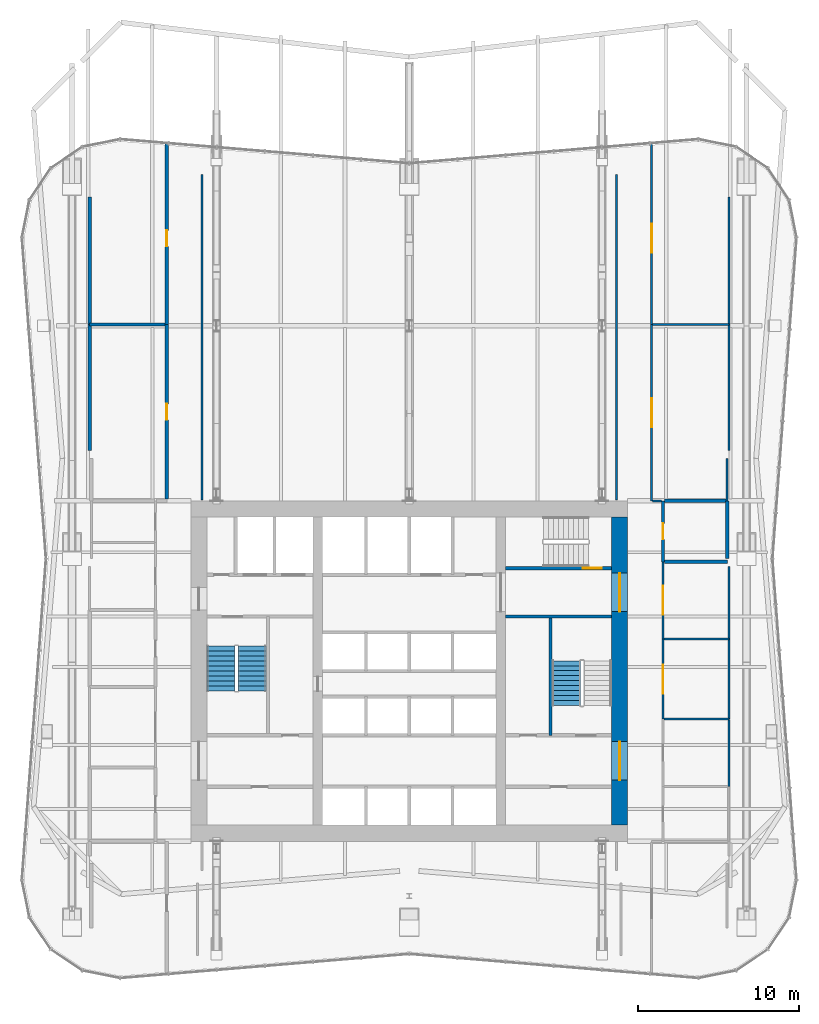
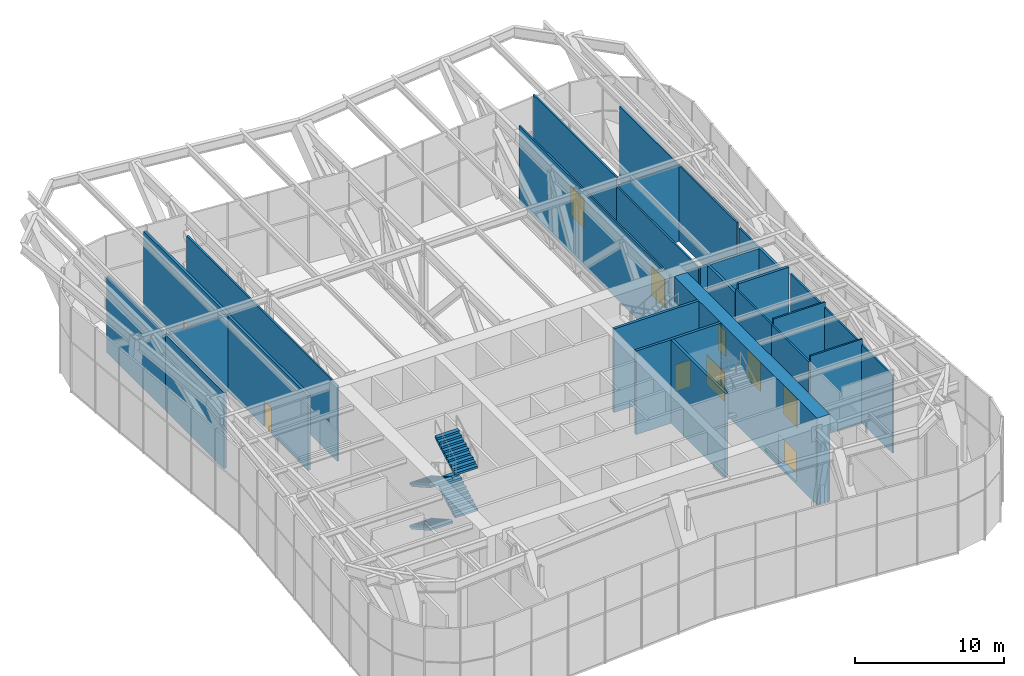
# One storey, part 12 of 16: 29 walls, 10 doors, 5 stair flights, 10 openings, 2 elements without a shape of their own.
"""IFC4 building model written with IfcOpenShell, lengths in metres."""

from ifc_helpers import new_model, si_unit, direction, frame, frame_2d, origin, place, context, subcontext, project, spatial, polyline, rectangle, outline, extrude, material, layer, layer_set, type_object, element, fill, aggregate, save


model = new_model("IFC4")

# Units and contexts
model_context = context("Model", 3, precision=1e-05, world=origin(), true_north=direction((0.0, 1.0)))
body_context = subcontext(model_context, "Body", "Model", "MODEL_VIEW")
ifc_project = project(units=[si_unit("LENGTHUNIT", "METRE"), si_unit("AREAUNIT", "SQUARE_METRE"), si_unit("VOLUMEUNIT", "CUBIC_METRE"), si_unit("PLANEANGLEUNIT", "RADIAN"), si_unit("MASSUNIT", "GRAM", prefix="KILO")], contexts=[model_context])

# Site, building, storey
site_placement = place(None, origin())
site = spatial("IfcSite", under=ifc_project, at=site_placement, CompositionType="ELEMENT")
building_placement = place(site_placement, origin())
building = spatial("IfcBuilding", under=site, at=building_placement, Name="Verdant Reach Tower", CompositionType="ELEMENT")
storey_placement = place(building_placement, frame((0.0, 0.0, 170.0)))
storey = spatial("IfcBuildingStorey", under=building, at=storey_placement, Name="L39 Plant", CompositionType="ELEMENT", Elevation=170.0)

# Wall
ifc_material_1 = material(Name="Concrete C40/50", Category="concrete")
ifc_layer_1 = layer(ifc_material_1, 0.199951171875)
ifc_layer_set_1 = layer_set([ifc_layer_1], Name="CO-WALL-STAIR")
wall_type_1 = type_object("IfcWallType", Name="CO-WALL-STAIR", PredefinedType="PARTITIONING", material=ifc_layer_set_1)
wall_1_placement = place(storey_placement, frame((6.0, 31.39990234375, 0.0), z_axis=(0.0, 0.0, 1.0), x_axis=(1.0, 0.0, 0.0)))
element("IfcWall", 1, at=wall_1_placement, inside=storey, type_object=wall_type_1, Name="Stair enclosure wall, L39 Plant", PredefinedType="PARTITIONING", context=body_context, shape_type="SweptSolid", body=[
    extrude(rectangle(XDim=6.60009765625, YDim=0.199951171875, at=frame_2d((3.300048828125, 0.0))), origin(), (0.0, 0.0, 1.0), 6.8701171875),
])

# Wall, opening, door
wall_2_placement = place(storey_placement, frame((6.0, 34.39990234375, 0.0), z_axis=(0.0, 0.0, 1.0), x_axis=(1.0, 0.0, 0.0)))
wall_2 = element("IfcWall", 2, at=wall_2_placement, inside=storey, type_object=wall_type_1, Name="Stair enclosure wall, L39 Plant", PredefinedType="PARTITIONING", context=body_context, shape_type="SweptSolid", body=[
    extrude(rectangle(XDim=6.60009765625, YDim=0.199951171875, at=frame_2d((3.300048828125, 0.0))), origin(), (0.0, 0.0, 1.0), 6.8701171875),
])
opening_1_placement = place(wall_2_placement, frame((4.800048828125, 0.0, 0.0)))
opening_1 = element("IfcOpeningElement", 3, at=opening_1_placement, cuts=wall_2, Name="Opening SD", PredefinedType="OPENING", context=body_context, shape_type="SweptSolid", body=[
    extrude(rectangle(XDim=1.199951171875, YDim=2.199951171875, at=frame_2d((0.60009765625, 1.10009765625))), frame((0.0, 0.10986328125, 0.0), z_axis=(0.0, -1.0, 0.0), x_axis=(1.0, 0.0, 0.0)), (0.0, 0.0, 1.0), 0.219970703125),
])
ifc_material_2 = material(Name="Steel", Category="steel")
door_type_1 = type_object("IfcDoorType", Name="CO-DOOR-STAIR", OperationType="NOTDEFINED", PredefinedType="DOOR", material=ifc_material_2)
door_1_placement = place(opening_1_placement, origin())
door_1 = element("IfcDoor", 4, at=door_1_placement, inside=storey, type_object=door_type_1, Name="Stair door, L39 Plant", OperationType="SINGLE_SWING_RIGHT", OverallHeight=2.199951171875, OverallWidth=1.199951171875, PredefinedType="DOOR", context=body_context, shape_type="SweptSolid", body=[
    extrude(rectangle(XDim=1.199951171875, YDim=2.199951171875, at=frame_2d((0.60009765625, 1.10009765625))), frame((0.0, 0.02490234375, 0.0), z_axis=(0.0, -1.0, 0.0), x_axis=(1.0, 0.0, 0.0)), (0.0, 0.0, 1.0), 0.050048828125),
])
fill(opening_1, door_1)

# Wall
wall_3_placement = place(storey_placement, frame((8.800048828125, 24.0, 0.0), z_axis=(0.0, 0.0, 1.0), x_axis=(0.0, 1.0, 0.0)))
element("IfcWall", 5, at=wall_3_placement, inside=storey, type_object=wall_type_1, Name="Stair enclosure wall, L39 Plant", PredefinedType="PARTITIONING", context=body_context, shape_type="SweptSolid", body=[
    extrude(rectangle(XDim=7.39990234375, YDim=0.199951171875, at=frame_2d((3.699951171875, 0.0))), origin(), (0.0, 0.0, 1.0), 6.8701171875),
])

# Wall, openings, doors
ifc_material_3 = material(Name="Concrete C70/85", Category="concrete")
ifc_layer_2 = layer(ifc_material_3, 1.0)
ifc_layer_set_2 = layer_set([ifc_layer_2], Name="ST-CORE-WALL-1000")
wall_type_2 = type_object("IfcWallType", Name="ST-CORE-WALL-1000", PredefinedType="SHEAR", material=ifc_layer_set_2)
wall_4_placement = place(storey_placement, frame((13.10009765625, 18.39990234375, -0.25), z_axis=(0.0, 0.0, 1.0), x_axis=(0.0, 1.0, 0.0)))
wall_4 = element("IfcWall", 6, at=wall_4_placement, inside=storey, type_object=wall_type_2, Name="Core wall E, L39 Plant", PredefinedType="SHEAR", context=body_context, shape_type="SweptSolid", body=[
    extrude(rectangle(XDim=19.2001953125, YDim=1.0, at=frame_2d((9.60009765625, 0.0))), origin(), (0.0, 0.0, 1.0), 7.1201171875),
])
opening_2_placement = place(wall_4_placement, frame((2.800048828125, 0.0, 0.25)))
opening_2 = element("IfcOpeningElement", 7, at=opening_2_placement, cuts=wall_4, Name="Opening LB", PredefinedType="OPENING", context=body_context, shape_type="SweptSolid", body=[
    extrude(rectangle(XDim=2.39990234375, YDim=2.39990234375, at=frame_2d((1.199951171875, 1.199951171875))), frame((0.0, 0.510009765625, 0.0), z_axis=(0.0, -1.0, 0.0), x_axis=(1.0, 0.0, 0.0)), (0.0, 0.0, 1.0), 1.02001953125),
])
opening_3_placement = place(wall_4_placement, frame((13.300048828125, 0.0, 0.25)))
opening_3 = element("IfcOpeningElement", 8, at=opening_3_placement, cuts=wall_4, Name="Opening LB", PredefinedType="OPENING", context=body_context, shape_type="SweptSolid", body=[
    extrude(rectangle(XDim=2.39990234375, YDim=2.39990234375, at=frame_2d((1.199951171875, 1.199951171875))), frame((0.0, 0.510009765625, 0.0), z_axis=(0.0, -1.0, 0.0), x_axis=(1.0, 0.0, 0.0)), (0.0, 0.0, 1.0), 1.02001953125),
])
ifc_material_4 = material(Name="Glass and steel", Category="steel")
door_type_2 = type_object("IfcDoorType", Name="CO-DOOR-LOBBY", OperationType="DOUBLE_DOOR_SINGLE_SWING", PredefinedType="DOOR", material=ifc_material_4)
door_2_placement = place(opening_2_placement, origin())
door_2 = element("IfcDoor", 9, at=door_2_placement, inside=storey, type_object=door_type_2, Name="Core entrance door, L39 Plant", OperationType="DOUBLE_DOOR_SINGLE_SWING", OverallHeight=2.39990234375, OverallWidth=2.39990234375, PredefinedType="DOOR", context=body_context, shape_type="SweptSolid", body=[
    extrude(rectangle(XDim=2.39990234375, YDim=2.39990234375, at=frame_2d((1.199951171875, 1.199951171875))), frame((0.0, 0.02490234375, 0.0), z_axis=(0.0, -1.0, 0.0), x_axis=(1.0, 0.0, 0.0)), (0.0, 0.0, 1.0), 0.050048828125),
])
fill(opening_2, door_2)
door_3_placement = place(opening_3_placement, origin())
door_3 = element("IfcDoor", 10, at=door_3_placement, inside=storey, type_object=door_type_2, Name="Core entrance door, L39 Plant", OperationType="DOUBLE_DOOR_SINGLE_SWING", OverallHeight=2.39990234375, OverallWidth=2.39990234375, PredefinedType="DOOR", context=body_context, shape_type="SweptSolid", body=[
    extrude(rectangle(XDim=2.39990234375, YDim=2.39990234375, at=frame_2d((1.199951171875, 1.199951171875))), frame((0.0, 0.02490234375, 0.0), z_axis=(0.0, -1.0, 0.0), x_axis=(1.0, 0.0, 0.0)), (0.0, 0.0, 1.0), 0.050048828125),
])
fill(opening_3, door_3)

# Wall, opening, door
ifc_material_5 = material(Name="Gypsum board on steel studs, fire rated", Category="steel")
ifc_layer_3 = layer(ifc_material_5, 0.125)
ifc_layer_set_3 = layer_set([ifc_layer_3], Name="SV-W2 Plant wall 125 EI 60")
wall_type_3 = type_object("IfcWallType", Name="SV-W2 Plant wall 125 EI 60", PredefinedType="PARTITIONING", material=ifc_layer_set_3)
wall_5_placement = place(storey_placement, frame((15.800048828125, 25.0, 0.0), z_axis=(0.0, 0.0, 1.0), x_axis=(0.0, 1.0, 0.0)))
wall_5 = element("IfcWall", 11, at=wall_5_placement, inside=storey, type_object=wall_type_3, Name="Partition L39.03", PredefinedType="PARTITIONING", context=body_context, shape_type="SweptSolid", body=[
    extrude(rectangle(XDim=5.0, YDim=0.125, at=frame_2d((2.5, 0.0))), origin(), (0.0, 0.0, 1.0), 6.43994140625),
])
opening_4_placement = place(wall_5_placement, frame((1.60009765625, 0.0, 0.0)))
opening_4 = element("IfcOpeningElement", 12, at=opening_4_placement, cuts=wall_5, Name="Opening SD3", PredefinedType="OPENING", context=body_context, shape_type="SweptSolid", body=[
    extrude(rectangle(XDim=1.800048828125, YDim=2.39990234375, at=frame_2d((0.89990234375, 1.199951171875))), frame((0.0, 0.072509765625, 0.0), z_axis=(0.0, -1.0, 0.0), x_axis=(1.0, 0.0, 0.0)), (0.0, 0.0, 1.0), 0.14501953125),
])
ifc_material_6 = material(Name="Steel door leaves, fire rated", Category="steel")
door_type_3 = type_object("IfcDoorType", Name="SV-D3 Equipment door 1800x2400 FD60", OperationType="DOUBLE_DOOR_SINGLE_SWING", PredefinedType="DOOR", material=ifc_material_6)
door_4_placement = place(opening_4_placement, origin())
door_4 = element("IfcDoor", 13, at=door_4_placement, inside=storey, type_object=door_type_3, Name="Door L39-003", OperationType="DOUBLE_DOOR_SINGLE_SWING", OverallHeight=2.39990234375, OverallWidth=1.800048828125, PredefinedType="DOOR", context=body_context, shape_type="SweptSolid", body=[
    extrude(rectangle(XDim=1.800048828125, YDim=2.39990234375, at=frame_2d((0.89990234375, 1.199951171875))), frame((0.0, 0.02490234375, 0.0), z_axis=(0.0, -1.0, 0.0), x_axis=(1.0, 0.0, 0.0)), (0.0, 0.0, 1.0), 0.050048828125),
])
fill(opening_4, door_4)

wall_6_placement = place(storey_placement, frame((15.800048828125, 30.0, 0.0), z_axis=(0.0, 0.0, 1.0), x_axis=(0.0, 1.0, 0.0)))
wall_6 = element("IfcWall", 14, at=wall_6_placement, inside=storey, type_object=wall_type_3, Name="Partition L39.04", PredefinedType="PARTITIONING", context=body_context, shape_type="SweptSolid", body=[
    extrude(rectangle(XDim=4.800048828125, YDim=0.125, at=frame_2d((2.39990234375, 0.0))), origin(), (0.0, 0.0, 1.0), 6.43994140625),
])
opening_5_placement = place(wall_6_placement, frame((1.5, 0.0, 0.0)))
opening_5 = element("IfcOpeningElement", 15, at=opening_5_placement, cuts=wall_6, Name="Opening SD3", PredefinedType="OPENING", context=body_context, shape_type="SweptSolid", body=[
    extrude(rectangle(XDim=1.800048828125, YDim=2.39990234375, at=frame_2d((0.89990234375, 1.199951171875))), frame((0.0, 0.072509765625, 0.0), z_axis=(0.0, -1.0, 0.0), x_axis=(1.0, 0.0, 0.0)), (0.0, 0.0, 1.0), 0.14501953125),
])
door_5_placement = place(opening_5_placement, origin())
door_5 = element("IfcDoor", 16, at=door_5_placement, inside=storey, type_object=door_type_3, Name="Door L39-004", OperationType="DOUBLE_DOOR_SINGLE_SWING", OverallHeight=2.39990234375, OverallWidth=1.800048828125, PredefinedType="DOOR", context=body_context, shape_type="SweptSolid", body=[
    extrude(rectangle(XDim=1.800048828125, YDim=2.39990234375, at=frame_2d((0.89990234375, 1.199951171875))), frame((0.0, 0.02490234375, 0.0), z_axis=(0.0, -1.0, 0.0), x_axis=(1.0, 0.0, 0.0)), (0.0, 0.0, 1.0), 0.050048828125),
])
fill(opening_5, door_5)

wall_7_placement = place(storey_placement, frame((15.10009765625, 38.60009765625, 0.0), z_axis=(0.0, 0.0, 1.0), x_axis=(0.0, 1.0, 0.0)))
wall_7 = element("IfcWall", 17, at=wall_7_placement, inside=storey, type_object=wall_type_3, Name="Partition L39.08", PredefinedType="PARTITIONING", context=body_context, shape_type="SweptSolid", body=[
    extrude(rectangle(XDim=10.972900390625, YDim=0.125, at=frame_2d((5.486328125, 0.0))), origin(), (0.0, 0.0, 1.0), 6.139892578125),
])
opening_6_placement = place(wall_7_placement, frame((4.58642578125, 0.0, 0.0)))
opening_6 = element("IfcOpeningElement", 18, at=opening_6_placement, cuts=wall_7, Name="Opening SD3", PredefinedType="OPENING", context=body_context, shape_type="SweptSolid", body=[
    extrude(rectangle(XDim=1.800048828125, YDim=2.39990234375, at=frame_2d((0.89990234375, 1.199951171875))), frame((0.0, 0.072509765625, 0.0), z_axis=(0.0, -1.0, 0.0), x_axis=(1.0, 0.0, 0.0)), (0.0, 0.0, 1.0), 0.14501953125),
])
door_6_placement = place(opening_6_placement, origin())
door_6 = element("IfcDoor", 19, at=door_6_placement, inside=storey, type_object=door_type_3, Name="Door L39-007", OperationType="DOUBLE_DOOR_SINGLE_SWING", OverallHeight=2.39990234375, OverallWidth=1.800048828125, PredefinedType="DOOR", context=body_context, shape_type="SweptSolid", body=[
    extrude(rectangle(XDim=1.800048828125, YDim=2.39990234375, at=frame_2d((0.89990234375, 1.199951171875))), frame((0.0, 0.02490234375, 0.0), z_axis=(0.0, -1.0, 0.0), x_axis=(1.0, 0.0, 0.0)), (0.0, 0.0, 1.0), 0.050048828125),
])
fill(opening_6, door_6)

# Wall
wall_8_placement = place(storey_placement, frame((15.16259765625, 38.60009765625, 0.0), z_axis=(0.0, 0.0, 1.0), x_axis=(1.0, 0.0, 0.0)))
element("IfcWall", 20, at=wall_8_placement, inside=storey, type_object=wall_type_3, Name="Partition L39.09", PredefinedType="PARTITIONING", context=body_context, shape_type="SweptSolid", body=[
    extrude(rectangle(XDim=0.537353515625, YDim=0.125, at=frame_2d((0.2685546875, 0.0))), origin(), (0.0, 0.0, 1.0), 6.139892578125),
])

# Wall, opening, door
wall_9_placement = place(storey_placement, frame((15.10009765625, 49.572998046875, 0.0), z_axis=(0.0, 0.0, 1.0), x_axis=(0.0, 1.0, 0.0)))
wall_9 = element("IfcWall", 21, at=wall_9_placement, inside=storey, type_object=wall_type_3, Name="Partition L39.10", PredefinedType="PARTITIONING", context=body_context, shape_type="SweptSolid", body=[
    extrude(rectangle(XDim=11.265380859375, YDim=0.125, at=frame_2d((5.6328125, 0.0))), origin(), (0.0, 0.0, 1.0), 6.8701171875),
])
opening_7_placement = place(wall_9_placement, frame((4.467041015625, 0.0, 0.0)))
opening_7 = element("IfcOpeningElement", 22, at=opening_7_placement, cuts=wall_9, Name="Opening SD3", PredefinedType="OPENING", context=body_context, shape_type="SweptSolid", body=[
    extrude(rectangle(XDim=1.800048828125, YDim=2.39990234375, at=frame_2d((0.89990234375, 1.199951171875))), frame((0.0, 0.072509765625, 0.0), z_axis=(0.0, -1.0, 0.0), x_axis=(1.0, 0.0, 0.0)), (0.0, 0.0, 1.0), 0.14501953125),
])
door_7_placement = place(opening_7_placement, origin())
door_7 = element("IfcDoor", 23, at=door_7_placement, inside=storey, type_object=door_type_3, Name="Door L39-008", OperationType="DOUBLE_DOOR_SINGLE_SWING", OverallHeight=2.39990234375, OverallWidth=1.800048828125, PredefinedType="DOOR", context=body_context, shape_type="SweptSolid", body=[
    extrude(rectangle(XDim=1.800048828125, YDim=2.39990234375, at=frame_2d((0.89990234375, 1.199951171875))), frame((0.0, 0.02490234375, 0.0), z_axis=(0.0, -1.0, 0.0), x_axis=(1.0, 0.0, 0.0)), (0.0, 0.0, 1.0), 0.050048828125),
])
fill(opening_7, door_7)

# Walls
for number, where, z_axis, x_axis, name in (
    (24, (15.862548828125, 25.0, 0.0), (0.0, 0.0, 1.0), (1.0, 0.0, 0.0), "Partition L39.13"),
    (25, (15.862548828125, 30.0, 0.0), (0.0, 0.0, 1.0), (1.0, 0.0, 0.0), "Partition L39.14"),
):
    element("IfcWall", number, at=place(storey_placement, frame(where, z_axis=z_axis, x_axis=x_axis)), inside=storey, type_object=wall_type_3, Name=name, PredefinedType="PARTITIONING", context=body_context, shape_type="SweptSolid", body=[
        extrude(rectangle(XDim=4.037353515625, YDim=0.125, at=frame_2d((2.0185546875, 0.0))), origin(), (0.0, 0.0, 1.0), 6.8701171875),
    ])
wall_10_placement = place(storey_placement, frame((15.16259765625, 49.572998046875, 0.0), z_axis=(0.0, 0.0, 1.0), x_axis=(1.0, 0.0, 0.0)))
element("IfcWall", 26, at=wall_10_placement, inside=storey, type_object=wall_type_3, Name="Partition L39.17", PredefinedType="PARTITIONING", context=body_context, shape_type="SweptSolid", body=[
    extrude(rectangle(XDim=4.7373046875, YDim=0.125, at=frame_2d((2.36865234375, 0.0))), origin(), (0.0, 0.0, 1.0), 6.239990234375),
])
wall_11_placement = place(storey_placement, frame((12.89990234375, 38.64990234375, 0.0), z_axis=(0.0, 0.0, 1.0), x_axis=(0.0, 1.0, 0.0)))
element("IfcWall", 27, at=wall_11_placement, inside=storey, type_object=wall_type_3, Name="Partition L39.37", PredefinedType="PARTITIONING", context=body_context, shape_type="SweptSolid", body=[
    extrude(rectangle(XDim=20.258056640625, YDim=0.125, at=frame_2d((10.12890625, 0.0))), origin(), (0.0, 0.0, 1.0), 6.239990234375),
])
wall_12_placement = place(storey_placement, frame((19.89990234375, 24.998046875, 0.0), z_axis=(0.0, 0.0, 1.0), x_axis=(0.0, -1.0, 0.0)))
element("IfcWall", 28, at=wall_12_placement, inside=storey, type_object=wall_type_3, Name="Partition L39.39", PredefinedType="PARTITIONING", context=body_context, shape_type="SweptSolid", body=[
    extrude(rectangle(XDim=4.196044921875, YDim=0.125, at=frame_2d((2.09814453125, 0.0))), origin(), (0.0, 0.0, 1.0), 6.389892578125),
])
wall_13_placement = place(storey_placement, frame((19.89990234375, 29.998046875, 0.0), z_axis=(0.0, 0.0, 1.0), x_axis=(0.0, -1.0, 0.0)))
element("IfcWall", 29, at=wall_13_placement, inside=storey, type_object=wall_type_3, Name="Partition L39.40", PredefinedType="PARTITIONING", context=body_context, shape_type="SweptSolid", body=[
    extrude(rectangle(XDim=4.99609375, YDim=0.125, at=frame_2d((2.498046875, 0.0))), origin(), (0.0, 0.0, 1.0), 6.43994140625),
])
wall_14_placement = place(storey_placement, frame((19.89990234375, 34.52197265625, 0.0), z_axis=(0.0, 0.0, 1.0), x_axis=(0.0, -1.0, 0.0)))
element("IfcWall", 30, at=wall_14_placement, inside=storey, type_object=wall_type_3, Name="Partition L39.41", PredefinedType="PARTITIONING", context=body_context, shape_type="SweptSolid", body=[
    extrude(rectangle(XDim=4.52001953125, YDim=0.125, at=frame_2d((2.260009765625, 0.0))), origin(), (0.0, 0.0, 1.0), 6.43994140625),
])
wall_15_placement = place(storey_placement, frame((19.89990234375, 49.571044921875, 0.0), z_axis=(0.0, 0.0, 1.0), x_axis=(0.0, -1.0, 0.0)))
element("IfcWall", 31, at=wall_15_placement, inside=storey, type_object=wall_type_3, Name="Partition L39.45", PredefinedType="PARTITIONING", context=body_context, shape_type="SweptSolid", body=[
    extrude(rectangle(XDim=7.843017578125, YDim=0.125, at=frame_2d((3.92138671875, 0.0))), origin(), (0.0, 0.0, 1.0), 6.239990234375),
])
wall_16_placement = place(storey_placement, frame((19.800048828125, 41.25, 0.0), z_axis=(0.0, 0.0, 1.0), x_axis=(0.0, -1.0, 0.0)))
element("IfcWall", 32, at=wall_16_placement, inside=storey, type_object=wall_type_3, Name="Partition L39.46", PredefinedType="PARTITIONING", context=body_context, shape_type="SweptSolid", body=[
    extrude(rectangle(XDim=2.64794921875, YDim=0.125, at=frame_2d((1.323974609375, 0.0))), origin(), (0.0, 0.0, 1.0), 6.139892578125),
])
wall_17_placement = place(storey_placement, frame((19.89990234375, 57.52197265625, 0.0), z_axis=(0.0, 0.0, 1.0), x_axis=(0.0, -1.0, 0.0)))
element("IfcWall", 33, at=wall_17_placement, inside=storey, type_object=wall_type_3, Name="Partition L39.47", PredefinedType="PARTITIONING", context=body_context, shape_type="SweptSolid", body=[
    extrude(rectangle(XDim=7.947021484375, YDim=0.125, at=frame_2d((3.9736328125, 0.0))), origin(), (0.0, 0.0, 1.0), 6.239990234375),
])
wall_18_placement = place(storey_placement, frame((-12.89990234375, 58.907958984375, 0.0), z_axis=(0.0, 0.0, 1.0), x_axis=(0.0, -1.0, 0.0)))
element("IfcWall", 34, at=wall_18_placement, inside=storey, type_object=wall_type_3, Name="Partition L39.48", PredefinedType="PARTITIONING", context=body_context, shape_type="SweptSolid", body=[
    extrude(rectangle(XDim=20.258056640625, YDim=0.125, at=frame_2d((10.12890625, 0.0))), origin(), (0.0, 0.0, 1.0), 6.239990234375),
])

# Wall, opening, door
ifc_material_7 = material(Name="Calcium silicate board on steel studs, fire rated", Category="steel")
ifc_layer_4 = layer(ifc_material_7, 0.199951171875)
ifc_layer_set_4 = layer_set([ifc_layer_4], Name="SV-W3 Fire wall 200 EI 120")
wall_type_4 = type_object("IfcWallType", Name="SV-W3 Fire wall 200 EI 120", PredefinedType="PARTITIONING", material=ifc_layer_set_4)
wall_19_placement = place(storey_placement, frame((15.800048828125, 34.800048828125, 0.0), z_axis=(0.0, 0.0, 1.0), x_axis=(0.0, 1.0, 0.0)))
wall_19 = element("IfcWall", 35, at=wall_19_placement, inside=storey, type_object=wall_type_4, Name="Partition L39.05", PredefinedType="PARTITIONING", context=body_context, shape_type="SweptSolid", body=[
    extrude(rectangle(XDim=3.800048828125, YDim=0.199951171875, at=frame_2d((1.89990234375, 0.0))), origin(), (0.0, 0.0, 1.0), 6.139892578125),
])
opening_8_placement = place(wall_19_placement, frame((1.39990234375, 0.0, 0.0)))
opening_8 = element("IfcOpeningElement", 36, at=opening_8_placement, cuts=wall_19, Name="Opening SD4", PredefinedType="OPENING", context=body_context, shape_type="SweptSolid", body=[
    extrude(rectangle(XDim=1.0, YDim=2.10009765625, at=frame_2d((0.5, 1.050048828125))), frame((0.0, 0.10986328125, 0.0), z_axis=(0.0, -1.0, 0.0), x_axis=(1.0, 0.0, 0.0)), (0.0, 0.0, 1.0), 0.219970703125),
])
ifc_material_8 = material(Name="Steel door leaf, fire rated", Category="steel")
door_type_4 = type_object("IfcDoorType", Name="SV-D4 Door 1000x2100 FD120", OperationType="NOTDEFINED", PredefinedType="DOOR", material=ifc_material_8)
door_8_placement = place(opening_8_placement, origin())
door_8 = element("IfcDoor", 37, at=door_8_placement, inside=storey, type_object=door_type_4, Name="Door L39-005", OperationType="SINGLE_SWING_LEFT", OverallHeight=2.10009765625, OverallWidth=1.0, PredefinedType="DOOR", context=body_context, shape_type="SweptSolid", body=[
    extrude(rectangle(XDim=1.0, YDim=2.10009765625, at=frame_2d((0.5, 1.050048828125))), frame((0.0, 0.02490234375, 0.0), z_axis=(0.0, -1.0, 0.0), x_axis=(1.0, 0.0, 0.0)), (0.0, 0.0, 1.0), 0.050048828125),
])
fill(opening_8, door_8)

# Walls
wall_20_placement = place(storey_placement, frame((15.89990234375, 34.800048828125, 0.0), z_axis=(0.0, 0.0, 1.0), x_axis=(1.0, 0.0, 0.0)))
element("IfcWall", 38, at=wall_20_placement, inside=storey, type_object=wall_type_4, Name="Partition L39.15", PredefinedType="PARTITIONING", context=body_context, shape_type="SweptSolid", body=[
    extrude(rectangle(XDim=3.918212890625, YDim=0.199951171875, at=frame_2d((1.958984375, 0.0))), origin(), (0.0, 0.0, 1.0), 6.8701171875),
])
wall_21_placement = place(storey_placement, frame((15.89990234375, 38.60009765625, 0.0), z_axis=(0.0, 0.0, 1.0), x_axis=(1.0, 0.0, 0.0)))
element("IfcWall", 39, at=wall_21_placement, inside=storey, type_object=wall_type_4, Name="Partition L39.16", PredefinedType="PARTITIONING", context=body_context, shape_type="SweptSolid", body=[
    extrude(rectangle(XDim=3.900146484375, YDim=0.199951171875, at=frame_2d((1.9501953125, 0.0))), origin(), (0.0, 0.0, 1.0), 6.139892578125),
])

# Wall, opening, door
wall_22_placement = place(storey_placement, frame((-15.10009765625, 49.572998046875, 0.0), z_axis=(0.0, 0.0, 1.0), x_axis=(0.0, -1.0, 0.0)))
wall_22 = element("IfcWall", 40, at=wall_22_placement, inside=storey, type_object=wall_type_4, Name="Partition L39.26", PredefinedType="PARTITIONING", context=body_context, shape_type="SweptSolid", body=[
    extrude(rectangle(XDim=10.873046875, YDim=0.199951171875, at=frame_2d((5.4365234375, 0.0))), origin(), (0.0, 0.0, 1.0), 6.139892578125),
])
opening_9_placement = place(wall_22_placement, frame((4.9365234375, 0.0, 0.0)))
opening_9 = element("IfcOpeningElement", 41, at=opening_9_placement, cuts=wall_22, Name="Opening SD4", PredefinedType="OPENING", context=body_context, shape_type="SweptSolid", body=[
    extrude(rectangle(XDim=1.0, YDim=2.10009765625, at=frame_2d((0.5, 1.050048828125))), frame((0.0, 0.10986328125, 0.0), z_axis=(0.0, -1.0, 0.0), x_axis=(1.0, 0.0, 0.0)), (0.0, 0.0, 1.0), 0.219970703125),
])
door_9_placement = place(opening_9_placement, origin())
door_9 = element("IfcDoor", 42, at=door_9_placement, inside=storey, type_object=door_type_4, Name="Door L39-015", OperationType="SINGLE_SWING_LEFT", OverallHeight=2.10009765625, OverallWidth=1.0, PredefinedType="DOOR", context=body_context, shape_type="SweptSolid", body=[
    extrude(rectangle(XDim=1.0, YDim=2.10009765625, at=frame_2d((0.5, 1.050048828125))), frame((0.0, 0.02490234375, 0.0), z_axis=(0.0, -1.0, 0.0), x_axis=(1.0, 0.0, 0.0)), (0.0, 0.0, 1.0), 0.050048828125),
])
fill(opening_9, door_9)

wall_23_placement = place(storey_placement, frame((-15.10009765625, 60.83837890625, 0.0), z_axis=(0.0, 0.0, 1.0), x_axis=(0.0, -1.0, 0.0)))
wall_23 = element("IfcWall", 43, at=wall_23_placement, inside=storey, type_object=wall_type_4, Name="Partition L39.27", PredefinedType="PARTITIONING", context=body_context, shape_type="SweptSolid", body=[
    extrude(rectangle(XDim=11.265380859375, YDim=0.199951171875, at=frame_2d((5.6328125, 0.0))), origin(), (0.0, 0.0, 1.0), 6.239990234375),
])
opening_10_placement = place(wall_23_placement, frame((5.398193359375, 0.0, 0.0)))
opening_10 = element("IfcOpeningElement", 44, at=opening_10_placement, cuts=wall_23, Name="Opening SD4", PredefinedType="OPENING", context=body_context, shape_type="SweptSolid", body=[
    extrude(rectangle(XDim=1.0, YDim=2.10009765625, at=frame_2d((0.5, 1.050048828125))), frame((0.0, 0.10986328125, 0.0), z_axis=(0.0, -1.0, 0.0), x_axis=(1.0, 0.0, 0.0)), (0.0, 0.0, 1.0), 0.219970703125),
])
door_10_placement = place(opening_10_placement, origin())
door_10 = element("IfcDoor", 45, at=door_10_placement, inside=storey, type_object=door_type_4, Name="Door L39-016", OperationType="SINGLE_SWING_RIGHT", OverallHeight=2.10009765625, OverallWidth=1.0, PredefinedType="DOOR", context=body_context, shape_type="SweptSolid", body=[
    extrude(rectangle(XDim=1.0, YDim=2.10009765625, at=frame_2d((0.5, 1.050048828125))), frame((0.0, 0.02490234375, 0.0), z_axis=(0.0, -1.0, 0.0), x_axis=(1.0, 0.0, 0.0)), (0.0, 0.0, 1.0), 0.050048828125),
])
fill(opening_10, door_10)

# Walls
wall_24_placement = place(storey_placement, frame((-19.89990234375, 49.572998046875, 0.0), z_axis=(0.0, 0.0, 1.0), x_axis=(1.0, 0.0, 0.0)))
element("IfcWall", 46, at=wall_24_placement, inside=storey, type_object=wall_type_4, Name="Partition L39.34", PredefinedType="PARTITIONING", context=body_context, shape_type="SweptSolid", body=[
    extrude(rectangle(XDim=4.699951171875, YDim=0.199951171875, at=frame_2d((2.35009765625, 0.0))), origin(), (0.0, 0.0, 1.0), 6.239990234375),
])
wall_25_placement = place(storey_placement, frame((19.800048828125, 38.597900390625, 0.0), z_axis=(0.0, 0.0, 1.0), x_axis=(0.0, -1.0, 0.0)))
element("IfcWall", 47, at=wall_25_placement, inside=storey, type_object=wall_type_4, Name="Partition L39.42", PredefinedType="PARTITIONING", context=body_context, shape_type="SweptSolid", body=[
    extrude(rectangle(XDim=3.597900390625, YDim=0.199951171875, at=frame_2d((1.798828125, 0.0))), origin(), (0.0, 0.0, 1.0), 6.139892578125),
])
wall_26_placement = place(storey_placement, frame((-19.89990234375, 41.72802734375, 0.0), z_axis=(0.0, 0.0, 1.0), x_axis=(0.0, 1.0, 0.0)))
element("IfcWall", 48, at=wall_26_placement, inside=storey, type_object=wall_type_4, Name="Partition L39.60", PredefinedType="PARTITIONING", context=body_context, shape_type="SweptSolid", body=[
    extrude(rectangle(XDim=7.843017578125, YDim=0.199951171875, at=frame_2d((3.92138671875, 0.0))), origin(), (0.0, 0.0, 1.0), 6.239990234375),
])
wall_27_placement = place(storey_placement, frame((-19.89990234375, 49.574951171875, 0.0), z_axis=(0.0, 0.0, 1.0), x_axis=(0.0, 1.0, 0.0)))
element("IfcWall", 49, at=wall_27_placement, inside=storey, type_object=wall_type_4, Name="Partition L39.61", PredefinedType="PARTITIONING", context=body_context, shape_type="SweptSolid", body=[
    extrude(rectangle(XDim=7.947021484375, YDim=0.199951171875, at=frame_2d((3.9736328125, 0.0))), origin(), (0.0, 0.0, 1.0), 6.239990234375),
])

# Stair, stair flights
stair_type = type_object("IfcStairType", Name="CO-STAIR", PredefinedType="HALF_TURN_STAIR", material=ifc_material_1)
stair_1_placement = place(storey_placement, origin())
stair_1 = element("IfcStair", 50, at=stair_1_placement, inside=storey, type_object=stair_type, Name="L39 Plant Exit stair 1", PredefinedType="HALF_TURN_STAIR")
stair_flight_type = type_object("IfcStairFlightType", Name="CO-STAIR-FLIGHT", PredefinedType="STRAIGHT", material=ifc_material_1)
stair_flight_1_placement = place(storey_placement, frame((-11.72509765625, 29.550048828125, 0.0), z_axis=(0.0, 0.0, 1.0), x_axis=(0.0, -1.0, 0.0)))
stair_flight_1 = element("IfcStairFlight", 51, at=stair_flight_1_placement, type_object=stair_flight_type, Name="ST-1 flight 1", NumberOfRisers=10, NumberOfTreads=9, PredefinedType="STRAIGHT", RiserHeight=0.175, TreadLength=0.31, context=body_context, shape_type="SweptSolid", body=[
    extrude(outline(polyline([(0.0, 0.0), (0.0, 0.175048828125), (0.31005859375, 0.175048828125), (0.31005859375, 0.35009765625), (0.6201171875, 0.35009765625), (0.6201171875, 0.52490234375), (0.929931640625, 0.52490234375), (0.929931640625, 0.699951171875), (1.239990234375, 0.699951171875), (1.239990234375, 0.875), (1.550048828125, 0.875), (1.550048828125, 1.050048828125), (1.860107421875, 1.050048828125), (1.860107421875, 1.22509765625), (2.169921875, 1.22509765625), (2.169921875, 1.39990234375), (2.47998046875, 1.39990234375), (2.47998046875, 1.574951171875), (2.7900390625, 1.574951171875), (2.7900390625, 1.75), (2.7900390625, 1.40283203125), (0.304931640625, 0.0), (0.0, 0.0)])), frame((0.0, 0.875, 0.0), z_axis=(0.0, -1.0, 0.0), x_axis=(1.0, 0.0, 0.0)), (0.0, 0.0, 1.0), 1.75),
])
stair_flight_2_placement = place(storey_placement, frame((-9.77490234375, 26.760009765625, 1.75), z_axis=(0.0, 0.0, 1.0), x_axis=(0.0, 1.0, 0.0)))
stair_flight_2 = element("IfcStairFlight", 52, at=stair_flight_2_placement, type_object=stair_flight_type, Name="ST-1 flight 2", NumberOfRisers=10, NumberOfTreads=9, PredefinedType="STRAIGHT", RiserHeight=0.175, TreadLength=0.31, context=body_context, shape_type="SweptSolid", body=[
    extrude(outline(polyline([(0.0, 0.0), (0.0, 0.175048828125), (0.31005859375, 0.175048828125), (0.31005859375, 0.35009765625), (0.6201171875, 0.35009765625), (0.6201171875, 0.52490234375), (0.929931640625, 0.52490234375), (0.929931640625, 0.699951171875), (1.239990234375, 0.699951171875), (1.239990234375, 0.875), (1.550048828125, 0.875), (1.550048828125, 1.050048828125), (1.860107421875, 1.050048828125), (1.860107421875, 1.22509765625), (2.169921875, 1.22509765625), (2.169921875, 1.39990234375), (2.47998046875, 1.39990234375), (2.47998046875, 1.574951171875), (2.7900390625, 1.574951171875), (2.7900390625, 1.75), (2.7900390625, 1.40283203125), (0.304931640625, 0.0), (0.0, 0.0)])), frame((0.0, 0.875, 0.0), z_axis=(0.0, -1.0, 0.0), x_axis=(1.0, 0.0, 0.0)), (0.0, 0.0, 1.0), 1.75),
])
stair_flight_3_placement = place(storey_placement, frame((-11.72509765625, 29.550048828125, 3.5), z_axis=(0.0, 0.0, 1.0), x_axis=(0.0, -1.0, 0.0)))
stair_flight_3 = element("IfcStairFlight", 53, at=stair_flight_3_placement, type_object=stair_flight_type, Name="ST-1 flight 3", NumberOfRisers=10, NumberOfTreads=9, PredefinedType="STRAIGHT", RiserHeight=0.175, TreadLength=0.31, context=body_context, shape_type="SweptSolid", body=[
    extrude(outline(polyline([(0.0, 0.0), (0.0, 0.175048828125), (0.31005859375, 0.175048828125), (0.31005859375, 0.35009765625), (0.6201171875, 0.35009765625), (0.6201171875, 0.52490234375), (0.929931640625, 0.52490234375), (0.929931640625, 0.699951171875), (1.239990234375, 0.699951171875), (1.239990234375, 0.875), (1.550048828125, 0.875), (1.550048828125, 1.050048828125), (1.860107421875, 1.050048828125), (1.860107421875, 1.22509765625), (2.169921875, 1.22509765625), (2.169921875, 1.39990234375), (2.47998046875, 1.39990234375), (2.47998046875, 1.574951171875), (2.7900390625, 1.574951171875), (2.7900390625, 1.75), (2.7900390625, 1.40283203125), (0.304931640625, 0.0), (0.0, 0.0)])), frame((0.0, 0.875, 0.0), z_axis=(0.0, -1.0, 0.0), x_axis=(1.0, 0.0, 0.0)), (0.0, 0.0, 1.0), 1.75),
])
stair_flight_4_placement = place(storey_placement, frame((-9.77490234375, 26.760009765625, 5.25), z_axis=(0.0, 0.0, 1.0), x_axis=(0.0, 1.0, 0.0)))
stair_flight_4 = element("IfcStairFlight", 54, at=stair_flight_4_placement, type_object=stair_flight_type, Name="ST-1 flight 4", NumberOfRisers=10, NumberOfTreads=9, PredefinedType="STRAIGHT", RiserHeight=0.175, TreadLength=0.31, context=body_context, shape_type="SweptSolid", body=[
    extrude(outline(polyline([(0.0, 0.0), (0.0, 0.175048828125), (0.31005859375, 0.175048828125), (0.31005859375, 0.35009765625), (0.6201171875, 0.35009765625), (0.6201171875, 0.52490234375), (0.929931640625, 0.52490234375), (0.929931640625, 0.699951171875), (1.239990234375, 0.699951171875), (1.239990234375, 0.875), (1.550048828125, 0.875), (1.550048828125, 1.050048828125), (1.860107421875, 1.050048828125), (1.860107421875, 1.22509765625), (2.169921875, 1.22509765625), (2.169921875, 1.39990234375), (2.47998046875, 1.39990234375), (2.47998046875, 1.574951171875), (2.7900390625, 1.574951171875), (2.7900390625, 1.75), (2.7900390625, 1.40283203125), (0.304931640625, 0.0), (0.0, 0.0)])), frame((0.0, 0.875, 0.0), z_axis=(0.0, -1.0, 0.0), x_axis=(1.0, 0.0, 0.0)), (0.0, 0.0, 1.0), 1.75),
])
aggregate(stair_1, [stair_flight_1, stair_flight_2, stair_flight_3, stair_flight_4])

# Stair, stair flight
stair_2_placement = place(storey_placement, origin())
stair_2 = element("IfcStair", 55, at=stair_2_placement, inside=storey, type_object=stair_type, Name="L39 Plant Exit stair 2", PredefinedType="HALF_TURN_STAIR")
stair_flight_5_placement = place(storey_placement, frame((9.77490234375, 28.639892578125, 1.75), z_axis=(0.0, 0.0, 1.0), x_axis=(0.0, -1.0, 0.0)))
stair_flight_5 = element("IfcStairFlight", 56, at=stair_flight_5_placement, type_object=stair_flight_type, Name="ST-2 flight 2", NumberOfRisers=10, NumberOfTreads=9, PredefinedType="STRAIGHT", RiserHeight=0.175, TreadLength=0.31, context=body_context, shape_type="SweptSolid", body=[
    extrude(outline(polyline([(0.0, 0.0), (0.0, 0.175048828125), (0.31005859375, 0.175048828125), (0.31005859375, 0.35009765625), (0.6201171875, 0.35009765625), (0.6201171875, 0.52490234375), (0.929931640625, 0.52490234375), (0.929931640625, 0.699951171875), (1.239990234375, 0.699951171875), (1.239990234375, 0.875), (1.550048828125, 0.875), (1.550048828125, 1.050048828125), (1.860107421875, 1.050048828125), (1.860107421875, 1.22509765625), (2.169921875, 1.22509765625), (2.169921875, 1.39990234375), (2.47998046875, 1.39990234375), (2.47998046875, 1.574951171875), (2.7900390625, 1.574951171875), (2.7900390625, 1.75), (2.7900390625, 1.40283203125), (0.304931640625, 0.0), (0.0, 0.0)])), frame((0.0, 0.875, 0.0), z_axis=(0.0, -1.0, 0.0), x_axis=(1.0, 0.0, 0.0)), (0.0, 0.0, 1.0), 1.75),
])
aggregate(stair_2, [stair_flight_5])

save(model, "model.ifc")
